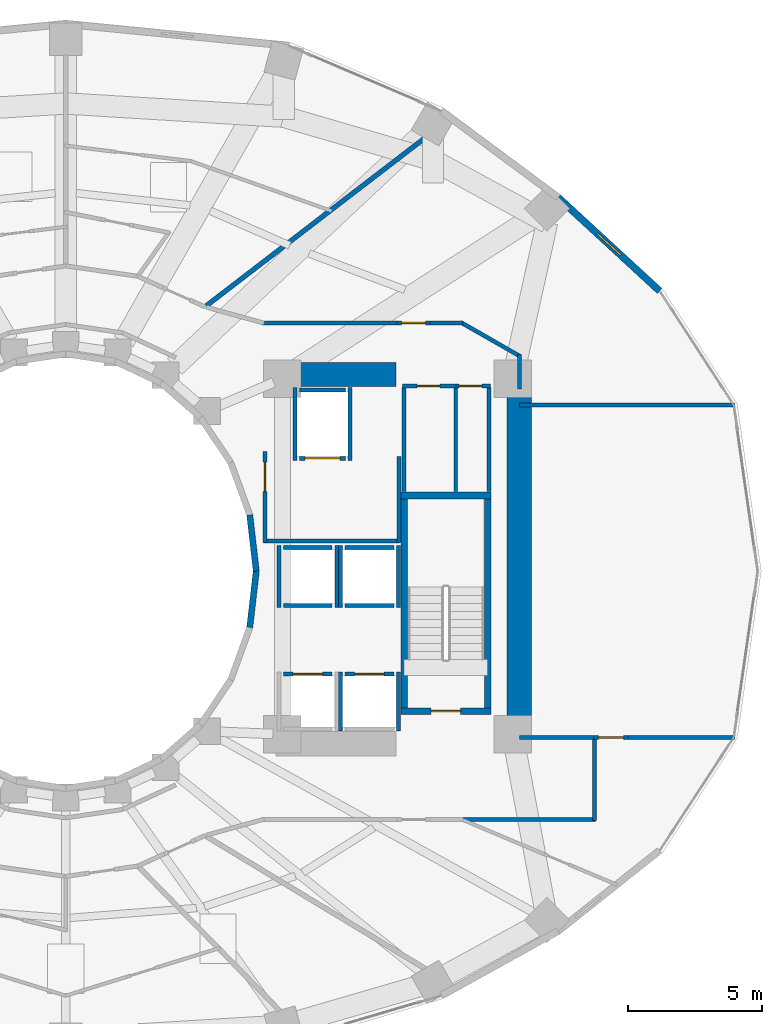
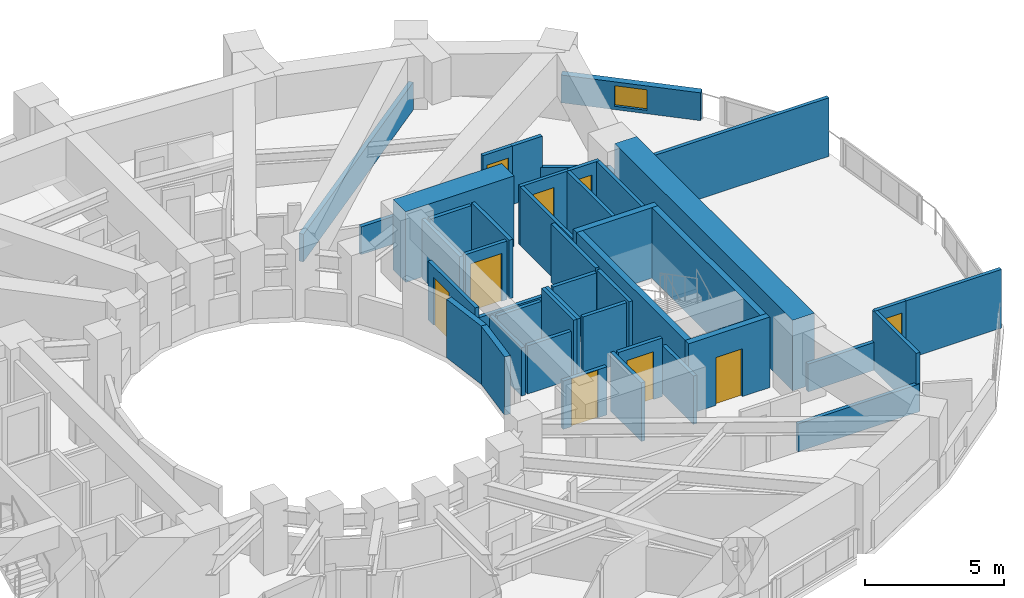
# One storey, part 17 of 22: 45 walls, 9 doors, 1 window, 10 openings.
"""IFC4 building model written with IfcOpenShell, lengths in metres."""

from ifc_helpers import new_model, si_unit, direction, frame, frame_2d, origin, place, context, subcontext, project, spatial, rectangle, extrude, material, layer, layer_set, type_object, element, fill, save


model = new_model("IFC4")

# Units and contexts
model_context = context("Model", 3, precision=1e-05, world=origin(), true_north=direction((0.0, 1.0)))
body_context = subcontext(model_context, "Body", "Model", "MODEL_VIEW")
ifc_project = project(units=[si_unit("LENGTHUNIT", "METRE"), si_unit("AREAUNIT", "SQUARE_METRE"), si_unit("VOLUMEUNIT", "CUBIC_METRE"), si_unit("PLANEANGLEUNIT", "RADIAN"), si_unit("MASSUNIT", "GRAM", prefix="KILO")], contexts=[model_context])

# Site, building, storey
site_placement = place(None, origin())
site = spatial("IfcSite", under=ifc_project, at=site_placement, CompositionType="ELEMENT")
building_placement = place(site_placement, origin())
building = spatial("IfcBuilding", under=site, at=building_placement, Name="Solvane Sanctuary Tower", CompositionType="ELEMENT")
storey_placement = place(building_placement, frame((0.0, 0.0, 43.10009765625)))
storey = spatial("IfcBuildingStorey", under=building, at=storey_placement, Name="L12", CompositionType="ELEMENT", Elevation=43.10009765625)

# Walls
ifc_material_1 = material(Name="Concrete C70/85", Category="concrete")
ifc_layer_1 = layer(ifc_material_1, 0.89990234375, Name="Concrete C70/85")
ifc_layer_set_1 = layer_set([ifc_layer_1], Name="Concrete C70/85")
wall_type_1 = type_object("IfcWallType", Name="Wall W-CORE-900", PredefinedType="SHEAR", material=ifc_layer_set_1)
wall_1_placement = place(storey_placement, frame((48.949951171875, 17.050048828125, 0.0), z_axis=(0.0, 0.0, 1.0), x_axis=(0.0, 1.0, 0.0)))
element("IfcWall", 1, at=wall_1_placement, inside=storey, type_object=wall_type_1, Name="L12 Core Shear Wall EC-E", PredefinedType="SHEAR", context=body_context, shape_type="SweptSolid", body=[
    extrude(rectangle(XDim=12.800048828125, YDim=0.89990234375, at=frame_2d((6.39990234375, 0.0))), origin(), (0.0, 0.0, 1.0), 3.099853515625),
])
wall_2_placement = place(storey_placement, frame((39.85009765625, 30.35009765625, 0.0), z_axis=(0.0, 0.0, 1.0), x_axis=(1.0, 0.0, 0.0)))
element("IfcWall", 2, at=wall_2_placement, inside=storey, type_object=wall_type_1, Name="L12 Core Shear Wall EC-N", PredefinedType="SHEAR", context=body_context, shape_type="SweptSolid", body=[
    extrude(rectangle(XDim=4.5, YDim=0.89990234375, at=frame_2d((2.25, 0.0))), origin(), (0.0, 0.0, 1.0), 3.099853515625),
])
ifc_material_2 = material(Name="Acoustic Gypsum Partition Board")
ifc_layer_2 = layer(ifc_material_2, 0.14990234375, Name="Acoustic Gypsum Partition Board")
ifc_layer_set_2 = layer_set([ifc_layer_2], Name="Acoustic Gypsum Partition Board")
wall_type_2 = type_object("IfcWallType", Name="Wall W-CORR-150", PredefinedType="PARTITIONING", material=ifc_layer_set_2)
wall_3_placement = place(storey_placement, frame((39.39990234375, 24.1201171875, 0.0), z_axis=(0.0, 0.0, 1.0), x_axis=(1.0, 0.0, 0.0)))
element("IfcWall", 3, at=wall_3_placement, inside=storey, type_object=wall_type_2, Name="L12 East Firefighting Lobby South Wall", PredefinedType="PARTITIONING", context=body_context, shape_type="SweptSolid", body=[
    extrude(rectangle(XDim=5.080078125, YDim=0.14990234375, at=frame_2d((2.5400390625, 0.0))), origin(), (0.0, 0.0, 1.0), 2.119873046875),
])
wall_4_placement = place(storey_placement, frame((44.449951171875, 24.080078125, 0.0), z_axis=(0.0, 0.0, 1.0), x_axis=(0.0, 1.0, 0.0)))
element("IfcWall", 4, at=wall_4_placement, inside=storey, type_object=wall_type_2, Name="L12 East Firefighting Lobby East Wall", PredefinedType="PARTITIONING", context=body_context, shape_type="SweptSolid", body=[
    extrude(rectangle(XDim=3.199951171875, YDim=0.14990234375, at=frame_2d((1.60009765625, 0.0))), origin(), (0.0, 0.0, 1.0), 2.574951171875),
])

# Wall, opening, door
wall_5_placement = place(storey_placement, frame((39.449951171875, 24.080078125, 0.0), z_axis=(0.0, 0.0, 1.0), x_axis=(0.0, 1.0, 0.0)))
wall_5 = element("IfcWall", 5, at=wall_5_placement, inside=storey, type_object=wall_type_2, Name="L12 East Firefighting Lobby West Wall", PredefinedType="PARTITIONING", context=body_context, shape_type="SweptSolid", body=[
    extrude(rectangle(XDim=3.39990234375, YDim=0.14990234375, at=frame_2d((1.699951171875, 0.0))), origin(), (0.0, 0.0, 1.0), 2.574951171875),
])
opening_1_placement = place(wall_5_placement, frame((1.893798828125, 0.0, 0.0)))
opening_1 = element("IfcOpeningElement", 6, at=opening_1_placement, cuts=wall_5, Name="Opening D-L12-05", PredefinedType="OPENING", context=body_context, shape_type="SweptSolid", body=[
    extrude(rectangle(XDim=1.10009765625, YDim=2.10009765625, at=frame_2d((0.550048828125, 1.050048828125))), frame((0.0, 0.0849609375, 0.0), z_axis=(0.0, -1.0, 0.0), x_axis=(1.0, 0.0, 0.0)), (0.0, 0.0, 1.0), 0.169921875),
])
ifc_material_3 = material(Name="Architectural Stainless Steel 316", Category="steel")
door_type_1 = type_object("IfcDoorType", Name="Door D-FFL", OperationType="NOTDEFINED", PredefinedType="DOOR", material=ifc_material_3)
door_1_placement = place(opening_1_placement, origin())
door_1 = element("IfcDoor", 7, at=door_1_placement, inside=storey, type_object=door_type_1, Name="L12 East Firefighting Lobby Fire Door", OperationType="SINGLE_SWING_LEFT", OverallHeight=2.10009765625, OverallWidth=1.10009765625, PredefinedType="DOOR", context=body_context, shape_type="SweptSolid", body=[
    extrude(rectangle(XDim=1.10009765625, YDim=2.10009765625, at=frame_2d((0.550048828125, 1.050048828125))), frame((0.0, 0.02490234375, 0.0), z_axis=(0.0, -1.0, 0.0), x_axis=(1.0, 0.0, 0.0)), (0.0, 0.0, 1.0), 0.050048828125),
])
fill(opening_1, door_1)

# Wall
wall_6_placement = place(storey_placement, frame((48.949951171875, 16.788330078125, 0.0), z_axis=(0.0, 0.0, 1.0), x_axis=(1.0, 0.0, 0.0)))
element("IfcWall", 8, at=wall_6_placement, inside=storey, type_object=wall_type_2, Name="L12 East Shoulder South Wall", PredefinedType="PARTITIONING", context=body_context, shape_type="SweptSolid", body=[
    extrude(rectangle(XDim=2.79296875, YDim=0.14990234375, at=frame_2d((1.396484375, 0.0))), origin(), (0.0, 0.0, 1.0), 1.219970703125),
])

# Wall, opening, door
wall_7_placement = place(storey_placement, frame((51.742919921875, 16.788330078125, 0.0), z_axis=(0.0, 0.0, 1.0), x_axis=(1.0, 0.0, 0.0)))
wall_7 = element("IfcWall", 9, at=wall_7_placement, inside=storey, type_object=wall_type_2, Name="L12 East Shoulder South Wall", PredefinedType="PARTITIONING", context=body_context, shape_type="SweptSolid", body=[
    extrude(rectangle(XDim=1.27001953125, YDim=0.14990234375, at=frame_2d((0.635009765625, 0.0))), origin(), (0.0, 0.0, 1.0), 2.574951171875),
])
opening_2_placement = place(wall_7_placement, frame((0.159912109375, 0.0, 0.0)))
opening_2 = element("IfcOpeningElement", 10, at=opening_2_placement, cuts=wall_7, Name="Opening D-L12-10", PredefinedType="OPENING", context=body_context, shape_type="SweptSolid", body=[
    extrude(rectangle(XDim=0.949951171875, YDim=2.10009765625, at=frame_2d((0.47509765625, 1.050048828125))), frame((0.0, 0.0849609375, 0.0), z_axis=(0.0, -1.0, 0.0), x_axis=(1.0, 0.0, 0.0)), (0.0, 0.0, 1.0), 0.169921875),
])
ifc_material_4 = material(Name="Engineered Tropical Hardwood", Category="wood")
door_type_2 = type_object("IfcDoorType", Name="Door D-ROOM-950", OperationType="NOTDEFINED", PredefinedType="DOOR", material=ifc_material_4)
door_2_placement = place(opening_2_placement, origin())
door_2 = element("IfcDoor", 11, at=door_2_placement, inside=storey, type_object=door_type_2, Name="L12 East Shoulder South Door", OperationType="SINGLE_SWING_RIGHT", OverallHeight=2.10009765625, OverallWidth=0.949951171875, PredefinedType="DOOR", context=body_context, shape_type="SweptSolid", body=[
    extrude(rectangle(XDim=0.949951171875, YDim=2.10009765625, at=frame_2d((0.47509765625, 1.050048828125))), frame((0.0, 0.02490234375, 0.0), z_axis=(0.0, -1.0, 0.0), x_axis=(1.0, 0.0, 0.0)), (0.0, 0.0, 1.0), 0.050048828125),
])
fill(opening_2, door_2)

# Walls
wall_8_placement = place(storey_placement, frame((53.012939453125, 16.788330078125, 0.0), z_axis=(0.0, 0.0, 1.0), x_axis=(1.0, 0.0, 0.0)))
element("IfcWall", 12, at=wall_8_placement, inside=storey, type_object=wall_type_2, Name="L12 East Shoulder South Wall", PredefinedType="PARTITIONING", context=body_context, shape_type="SweptSolid", body=[
    extrude(rectangle(XDim=3.973388671875, YDim=0.14990234375, at=frame_2d((1.98681640625, 0.0))), origin(), (0.0, 0.0, 1.0), 2.574951171875),
])
wall_9_placement = place(storey_placement, frame((48.949951171875, 29.211669921875, 0.0), z_axis=(0.0, 0.0, 1.0), x_axis=(1.0, 0.0, 0.0)))
element("IfcWall", 13, at=wall_9_placement, inside=storey, type_object=wall_type_2, Name="L12 East Shoulder North Wall", PredefinedType="PARTITIONING", context=body_context, shape_type="SweptSolid", body=[
    extrude(rectangle(XDim=8.036376953125, YDim=0.14990234375, at=frame_2d((4.01806640625, 0.0))), origin(), (0.0, 0.0, 1.0), 2.574951171875),
])
wall_10_placement = place(storey_placement, frame((48.949951171875, 29.800048828125, 0.0), z_axis=(0.0, 0.0, 1.0), x_axis=(0.0, 1.0, 0.0)))
element("IfcWall", 14, at=wall_10_placement, inside=storey, type_object=wall_type_2, Name="L12 NE Corner Closer 1", PredefinedType="PARTITIONING", context=body_context, shape_type="SweptSolid", body=[
    extrude(rectangle(XDim=1.2900390625, YDim=0.14990234375, at=frame_2d((0.64501953125, 0.0))), origin(), (0.0, 0.0, 1.0), 1.219970703125),
])
wall_11_placement = place(storey_placement, frame((39.330078125, 32.280029296875, 0.0), z_axis=(0.0, 0.0, 1.0), x_axis=(1.0, 0.0, 0.0)))
element("IfcWall", 15, at=wall_11_placement, inside=storey, type_object=wall_type_2, Name="L12 NE Corner Corridor Wall", PredefinedType="PARTITIONING", context=body_context, shape_type="SweptSolid", body=[
    extrude(rectangle(XDim=5.059814453125, YDim=0.14990234375, at=frame_2d((2.52978515625, 0.0))), origin(), (0.0, 0.0, 1.0), 1.219970703125),
])

# Wall, opening, door
wall_12_placement = place(storey_placement, frame((44.389892578125, 32.280029296875, 0.0), z_axis=(0.0, 0.0, 1.0), x_axis=(1.0, 0.0, 0.0)))
wall_12 = element("IfcWall", 16, at=wall_12_placement, inside=storey, type_object=wall_type_2, Name="L12 NE Corner Corridor Wall", PredefinedType="PARTITIONING", context=body_context, shape_type="SweptSolid", body=[
    extrude(rectangle(XDim=1.22021484375, YDim=0.14990234375, at=frame_2d((0.610107421875, 0.0))), origin(), (0.0, 0.0, 1.0), 2.574951171875),
])
opening_3_placement = place(wall_12_placement, frame((0.159912109375, 0.0, 0.0)))
opening_3 = element("IfcOpeningElement", 17, at=opening_3_placement, cuts=wall_12, Name="Opening D-L12-12", PredefinedType="OPENING", context=body_context, shape_type="SweptSolid", body=[
    extrude(rectangle(XDim=0.89990234375, YDim=2.10009765625, at=frame_2d((0.449951171875, 1.050048828125))), frame((0.0, 0.0849609375, 0.0), z_axis=(0.0, -1.0, 0.0), x_axis=(1.0, 0.0, 0.0)), (0.0, 0.0, 1.0), 0.169921875),
])
door_type_3 = type_object("IfcDoorType", Name="Door D-WET-900", OperationType="NOTDEFINED", PredefinedType="DOOR", material=ifc_material_4)
door_3_placement = place(opening_3_placement, origin())
door_3 = element("IfcDoor", 18, at=door_3_placement, inside=storey, type_object=door_type_3, Name="L12 NE Corner Salon Door", OperationType="SINGLE_SWING_RIGHT", OverallHeight=2.10009765625, OverallWidth=0.89990234375, PredefinedType="DOOR", context=body_context, shape_type="SweptSolid", body=[
    extrude(rectangle(XDim=0.89990234375, YDim=2.10009765625, at=frame_2d((0.449951171875, 1.050048828125))), frame((0.0, 0.02490234375, 0.0), z_axis=(0.0, -1.0, 0.0), x_axis=(1.0, 0.0, 0.0)), (0.0, 0.0, 1.0), 0.050048828125),
])
fill(opening_3, door_3)

# Walls
wall_13_placement = place(storey_placement, frame((45.610107421875, 32.280029296875, 0.0), z_axis=(0.0, 0.0, 1.0), x_axis=(1.0, 0.0, 0.0)))
element("IfcWall", 19, at=wall_13_placement, inside=storey, type_object=wall_type_2, Name="L12 NE Corner Corridor Wall", PredefinedType="PARTITIONING", context=body_context, shape_type="SweptSolid", body=[
    extrude(rectangle(XDim=1.239990234375, YDim=0.14990234375, at=frame_2d((0.6201171875, 0.0))), origin(), (0.0, 0.0, 1.0), 2.574951171875),
])
wall_14_placement = place(storey_placement, frame((46.756591796875, 32.3046875, 0.0), z_axis=(0.0, 0.0, 1.0), x_axis=(0.867991349648, -0.496579315857, 0.0)))
element("IfcWall", 20, at=wall_14_placement, inside=storey, type_object=wall_type_2, Name="L12 NE Corner Wing Wall", PredefinedType="PARTITIONING", context=body_context, shape_type="SweptSolid", body=[
    extrude(rectangle(XDim=2.56689453125, YDim=0.14990234375, at=frame_2d((1.283447265625, 0.0))), origin(), (0.0, 0.0, 1.0), 1.219970703125),
])
wall_15_placement = place(storey_placement, frame((51.760009765625, 13.679931640625, 0.0), z_axis=(0.0, 0.0, 1.0), x_axis=(0.0, 1.0, 0.0)))
element("IfcWall", 21, at=wall_15_placement, inside=storey, type_object=wall_type_2, Name="L12 SE Corner Closer 1", PredefinedType="PARTITIONING", context=body_context, shape_type="SweptSolid", body=[
    extrude(rectangle(XDim=3.1484375, YDim=0.14990234375, at=frame_2d((1.57421875, 0.0))), origin(), (0.0, 0.0, 1.0), 2.574951171875),
])
wall_16_placement = place(storey_placement, frame((46.75, 13.719970703125, 0.0), z_axis=(0.0, 0.0, 1.0), x_axis=(1.0, 0.0, 0.0)))
element("IfcWall", 22, at=wall_16_placement, inside=storey, type_object=wall_type_2, Name="L12 SE Corner Wing Wall", PredefinedType="PARTITIONING", context=body_context, shape_type="SweptSolid", body=[
    extrude(rectangle(XDim=5.050048828125, YDim=0.14990234375, at=frame_2d((2.52490234375, 0.0))), origin(), (0.0, 0.0, 1.0), 1.219970703125),
])

# Wall, opening, window
ifc_material_5 = material(Name="Precast concrete C40/50", Category="concrete")
ifc_layer_3 = layer(ifc_material_5, 0.260009765625, Name="Precast concrete C40/50")
ifc_layer_set_3 = layer_set([ifc_layer_3], Name="Precast concrete C40/50")
wall_type_3 = type_object("IfcWallType", Name="Wall W-EXT-250", PredefinedType="STANDARD", material=ifc_layer_set_3)
wall_17_placement = place(storey_placement, frame((54.19384765625, 33.4755859375, 0.0), z_axis=(0.0, 0.0, 1.0), x_axis=(-0.735655109293, 0.67735630223, 0.0)))
wall_17 = element("IfcWall", 23, at=wall_17_placement, inside=storey, type_object=wall_type_3, Name="L12 Ceramic-Printed Facade Wall 02", PredefinedType="STANDARD", context=body_context, shape_type="SweptSolid", body=[
    extrude(rectangle(XDim=5.15087890625, YDim=0.260009765625, at=frame_2d((2.575439453125, 0.0))), origin(), (0.0, 0.0, 1.0), 1.219970703125),
])
opening_4_placement = place(wall_17_placement, frame((1.9755859375, 0.0, 0.14990234375)))
opening_4 = element("IfcOpeningElement", 24, at=opening_4_placement, cuts=wall_17, Name="Opening WN-OPER-1200", PredefinedType="OPENING", context=body_context, shape_type="SweptSolid", body=[
    extrude(rectangle(XDim=1.199951171875, YDim=0.89990234375, at=frame_2d((0.60009765625, 0.449951171875))), frame((0.0, 0.139892578125, 0.0), z_axis=(0.0, -1.0, 0.0), x_axis=(1.0, 0.0, 0.0)), (0.0, 0.0, 1.0), 0.280029296875),
])
ifc_material_6 = material(Name="Dark Ceramic-Fritted Low-E Glass", Category="glass")
window_type = type_object("IfcWindowType", Name="Window WN-OPER-1200", PartitioningType="SINGLE_PANEL", PredefinedType="WINDOW", material=ifc_material_6)
window_placement = place(opening_4_placement, origin())
window = element("IfcWindow", 25, at=window_placement, inside=storey, type_object=window_type, Name="L12 Operable Facade Window 02", OverallHeight=0.89990234375, OverallWidth=1.199951171875, PartitioningType="SINGLE_PANEL", PredefinedType="WINDOW", context=body_context, shape_type="SweptSolid", body=[
    extrude(rectangle(XDim=1.199951171875, YDim=0.89990234375, at=frame_2d((0.60009765625, 0.449951171875))), frame((0.0, 0.030029296875, 0.0), z_axis=(0.0, -1.0, 0.0), x_axis=(1.0, 0.0, 0.0)), (0.0, 0.0, 1.0), 0.06005859375),
])
fill(opening_4, window)

# Walls
ifc_layer_4 = layer(ifc_material_5, 0.22998046875, Name="Precast concrete C40/50")
ifc_layer_set_4 = layer_set([ifc_layer_4], Name="Precast concrete C40/50")
wall_type_4 = type_object("IfcWallType", Name="Wall W-EXT-SP220", PredefinedType="STANDARD", material=ifc_layer_set_4)
for number, where, z_axis, x_axis, name in (
    (26, (39.1201171875, 23.0, 0.0), (0.0, 0.0, 1.0), (-0.114711713601, 0.993398823617, 0.0), "L12 Central Light-Well Wall 00"),
    (27, (38.87744140625, 20.8984375, 0.0), (0.0, 0.0, 1.0), (0.114711713601, 0.993398823617, 0.0), "L12 Central Light-Well Wall 23"),
):
    element("IfcWall", number, at=place(storey_placement, frame(where, z_axis=z_axis, x_axis=x_axis)), inside=storey, type_object=wall_type_4, Name=name, PredefinedType="STANDARD", context=body_context, shape_type="SweptSolid", body=[
        extrude(rectangle(XDim=2.115478515625, YDim=0.22998046875, at=frame_2d((1.0576171875, 0.0))), origin(), (0.0, 0.0, 1.0), 2.559814453125),
    ])

# Wall, opening, door
ifc_material_7 = material(Name="Concrete C50/60", Category="concrete")
ifc_layer_5 = layer(ifc_material_7, 0.14990234375, Name="Concrete C50/60")
ifc_layer_set_5 = layer_set([ifc_layer_5], Name="Concrete C50/60")
wall_type_5 = type_object("IfcWallType", Name="Wall W-SHAFT-150", PredefinedType="SOLIDWALL", material=ifc_layer_set_5)
wall_18_placement = place(storey_placement, frame((40.139892578125, 19.159912109375, 0.0), z_axis=(0.0, 0.0, 1.0), x_axis=(1.0, 0.0, 0.0)))
wall_18 = element("IfcWall", 28, at=wall_18_placement, inside=storey, type_object=wall_type_5, Name="L12 PL-3 Lift Shaft Wall F", PredefinedType="SOLIDWALL", context=body_context, shape_type="SweptSolid", body=[
    extrude(rectangle(XDim=1.820068359375, YDim=0.14990234375, at=frame_2d((0.91015625, 0.0))), origin(), (0.0, 0.0, 1.0), 2.119873046875),
])
opening_5_placement = place(wall_18_placement, frame((0.360107421875, 0.0, 0.0)))
opening_5 = element("IfcOpeningElement", 29, at=opening_5_placement, cuts=wall_18, Name="Opening LD-L12-03", PredefinedType="OPENING", context=body_context, shape_type="SweptSolid", body=[
    extrude(rectangle(XDim=1.10009765625, YDim=2.10009765625, at=frame_2d((0.550048828125, 1.050048828125))), frame((0.0, 0.0849609375, 0.0), z_axis=(0.0, -1.0, 0.0), x_axis=(1.0, 0.0, 0.0)), (0.0, 0.0, 1.0), 0.169921875),
])
door_type_4 = type_object("IfcDoorType", Name="Door LD-PASS-1100", OperationType="NOTDEFINED", PredefinedType="DOOR", material=ifc_material_3)
door_4_placement = place(opening_5_placement, origin())
door_4 = element("IfcDoor", 30, at=door_4_placement, inside=storey, type_object=door_type_4, Name="L12 PL-3 Lift Landing Door", OperationType="DOUBLE_DOOR_SLIDING", OverallHeight=2.10009765625, OverallWidth=1.10009765625, PredefinedType="DOOR", context=body_context, shape_type="SweptSolid", body=[
    extrude(rectangle(XDim=1.10009765625, YDim=2.10009765625, at=frame_2d((0.550048828125, 1.050048828125))), frame((0.0, 0.02490234375, 0.0), z_axis=(0.0, -1.0, 0.0), x_axis=(1.0, 0.0, 0.0)), (0.0, 0.0, 1.0), 0.050048828125),
])
fill(opening_5, door_4)

wall_19_placement = place(storey_placement, frame((42.43994140625, 19.159912109375, 0.0), z_axis=(0.0, 0.0, 1.0), x_axis=(1.0, 0.0, 0.0)))
wall_19 = element("IfcWall", 31, at=wall_19_placement, inside=storey, type_object=wall_type_5, Name="L12 PL-4 Lift Shaft Wall F", PredefinedType="SOLIDWALL", context=body_context, shape_type="SweptSolid", body=[
    extrude(rectangle(XDim=1.820068359375, YDim=0.14990234375, at=frame_2d((0.91015625, 0.0))), origin(), (0.0, 0.0, 1.0), 2.574951171875),
])
opening_6_placement = place(wall_19_placement, frame((0.360107421875, 0.0, 0.0)))
opening_6 = element("IfcOpeningElement", 32, at=opening_6_placement, cuts=wall_19, Name="Opening LD-L12-04", PredefinedType="OPENING", context=body_context, shape_type="SweptSolid", body=[
    extrude(rectangle(XDim=1.10009765625, YDim=2.10009765625, at=frame_2d((0.550048828125, 1.050048828125))), frame((0.0, 0.0849609375, 0.0), z_axis=(0.0, -1.0, 0.0), x_axis=(1.0, 0.0, 0.0)), (0.0, 0.0, 1.0), 0.169921875),
])
door_5_placement = place(opening_6_placement, origin())
door_5 = element("IfcDoor", 33, at=door_5_placement, inside=storey, type_object=door_type_4, Name="L12 PL-4 Lift Landing Door", OperationType="DOUBLE_DOOR_SLIDING", OverallHeight=2.10009765625, OverallWidth=1.10009765625, PredefinedType="DOOR", context=body_context, shape_type="SweptSolid", body=[
    extrude(rectangle(XDim=1.10009765625, YDim=2.10009765625, at=frame_2d((0.550048828125, 1.050048828125))), frame((0.0, 0.02490234375, 0.0), z_axis=(0.0, -1.0, 0.0), x_axis=(1.0, 0.0, 0.0)), (0.0, 0.0, 1.0), 0.050048828125),
])
fill(opening_6, door_5)

# Walls
wall_20_placement = place(storey_placement, frame((42.27001953125, 17.02001953125, 0.0), z_axis=(0.0, 0.0, 1.0), x_axis=(0.0, 1.0, 0.0)))
element("IfcWall", 34, at=wall_20_placement, inside=storey, type_object=wall_type_5, Name="L12 PL-4 Lift Shaft Wall S1", PredefinedType="SOLIDWALL", context=body_context, shape_type="SweptSolid", body=[
    extrude(rectangle(XDim=2.219970703125, YDim=0.14990234375, at=frame_2d((1.10986328125, 0.0))), origin(), (0.0, 0.0, 1.0), 2.574951171875),
])
wall_21_placement = place(storey_placement, frame((44.429931640625, 17.02001953125, 0.0), z_axis=(0.0, 0.0, 1.0), x_axis=(0.0, 1.0, 0.0)))
element("IfcWall", 35, at=wall_21_placement, inside=storey, type_object=wall_type_5, Name="L12 PL-4 Lift Shaft Wall S2", PredefinedType="SOLIDWALL", context=body_context, shape_type="SweptSolid", body=[
    extrude(rectangle(XDim=2.219970703125, YDim=0.14990234375, at=frame_2d((1.10986328125, 0.0))), origin(), (0.0, 0.0, 1.0), 2.119873046875),
])
for number, where, z_axis, x_axis, name in (
    (36, (42.43994140625, 21.719970703125, 0.0), (0.0, 0.0, 1.0), (1.0, 0.0, 0.0), "L12 PM-2 Lift Shaft Wall F"),
    (37, (42.43994140625, 23.8798828125, 0.0), (0.0, 0.0, 1.0), (1.0, 0.0, 0.0), "L12 PM-2 Lift Shaft Wall B"),
):
    element("IfcWall", number, at=place(storey_placement, frame(where, z_axis=z_axis, x_axis=x_axis)), inside=storey, type_object=wall_type_5, Name=name, PredefinedType="SOLIDWALL", context=body_context, shape_type="SweptSolid", body=[
        extrude(rectangle(XDim=1.820068359375, YDim=0.14990234375, at=frame_2d((0.91015625, 0.0))), origin(), (0.0, 0.0, 1.0), 2.574951171875),
    ])
for number, where, z_axis, x_axis, name in (
    (38, (42.27001953125, 21.639892578125, 0.0), (0.0, 0.0, 1.0), (0.0, 1.0, 0.0), "L12 PM-2 Lift Shaft Wall S1"),
    (39, (44.429931640625, 21.639892578125, 0.0), (0.0, 0.0, 1.0), (0.0, 1.0, 0.0), "L12 PM-2 Lift Shaft Wall S2"),
):
    element("IfcWall", number, at=place(storey_placement, frame(where, z_axis=z_axis, x_axis=x_axis)), inside=storey, type_object=wall_type_5, Name=name, PredefinedType="SOLIDWALL", context=body_context, shape_type="SweptSolid", body=[
        extrude(rectangle(XDim=2.320068359375, YDim=0.14990234375, at=frame_2d((1.16015625, 0.0))), origin(), (0.0, 0.0, 1.0), 2.574951171875),
    ])
for number, where, z_axis, x_axis, name in (
    (40, (40.139892578125, 21.719970703125, 0.0), (0.0, 0.0, 1.0), (1.0, 0.0, 0.0), "L12 PH-2 Lift Shaft Wall F"),
    (41, (40.139892578125, 23.8798828125, 0.0), (0.0, 0.0, 1.0), (1.0, 0.0, 0.0), "L12 PH-2 Lift Shaft Wall B"),
):
    element("IfcWall", number, at=place(storey_placement, frame(where, z_axis=z_axis, x_axis=x_axis)), inside=storey, type_object=wall_type_5, Name=name, PredefinedType="SOLIDWALL", context=body_context, shape_type="SweptSolid", body=[
        extrude(rectangle(XDim=1.820068359375, YDim=0.14990234375, at=frame_2d((0.91015625, 0.0))), origin(), (0.0, 0.0, 1.0), 2.119873046875),
    ])
wall_22_placement = place(storey_placement, frame((39.969970703125, 21.639892578125, 0.0), z_axis=(0.0, 0.0, 1.0), x_axis=(0.0, 1.0, 0.0)))
element("IfcWall", 42, at=wall_22_placement, inside=storey, type_object=wall_type_5, Name="L12 PH-2 Lift Shaft Wall S1", PredefinedType="SOLIDWALL", context=body_context, shape_type="SweptSolid", body=[
    extrude(rectangle(XDim=2.320068359375, YDim=0.14990234375, at=frame_2d((1.16015625, 0.0))), origin(), (0.0, 0.0, 1.0), 2.119873046875),
])
wall_23_placement = place(storey_placement, frame((42.1298828125, 21.639892578125, 0.0), z_axis=(0.0, 0.0, 1.0), x_axis=(0.0, 1.0, 0.0)))
element("IfcWall", 43, at=wall_23_placement, inside=storey, type_object=wall_type_5, Name="L12 PH-2 Lift Shaft Wall S2", PredefinedType="SOLIDWALL", context=body_context, shape_type="SweptSolid", body=[
    extrude(rectangle(XDim=2.320068359375, YDim=0.14990234375, at=frame_2d((1.16015625, 0.0))), origin(), (0.0, 0.0, 1.0), 2.574951171875),
])

# Wall, opening, door
wall_24_placement = place(storey_placement, frame((40.739990234375, 27.219970703125, 0.0), z_axis=(0.0, 0.0, 1.0), x_axis=(1.0, 0.0, 0.0)))
wall_24 = element("IfcWall", 44, at=wall_24_placement, inside=storey, type_object=wall_type_5, Name="L12 FFL-2 Lift Shaft Wall F", PredefinedType="SOLIDWALL", context=body_context, shape_type="SweptSolid", body=[
    extrude(rectangle(XDim=1.719970703125, YDim=0.14990234375, at=frame_2d((0.85986328125, 0.0))), origin(), (0.0, 0.0, 1.0), 2.574951171875),
])
opening_7_placement = place(wall_24_placement, frame((0.2099609375, 0.0, 0.0)))
opening_7 = element("IfcOpeningElement", 45, at=opening_7_placement, cuts=wall_24, Name="Opening LD-L12-07", PredefinedType="OPENING", context=body_context, shape_type="SweptSolid", body=[
    extrude(rectangle(XDim=1.300048828125, YDim=2.10009765625, at=frame_2d((0.64990234375, 1.050048828125))), frame((0.0, 0.0849609375, 0.0), z_axis=(0.0, -1.0, 0.0), x_axis=(1.0, 0.0, 0.0)), (0.0, 0.0, 1.0), 0.169921875),
])
door_type_5 = type_object("IfcDoorType", Name="Door LD-FFL-1300", OperationType="NOTDEFINED", PredefinedType="DOOR", material=ifc_material_3)
door_6_placement = place(opening_7_placement, origin())
door_6 = element("IfcDoor", 46, at=door_6_placement, inside=storey, type_object=door_type_5, Name="L12 FFL-2 Lift Landing Door", OperationType="DOUBLE_DOOR_SLIDING", OverallHeight=2.10009765625, OverallWidth=1.300048828125, PredefinedType="DOOR", context=body_context, shape_type="SweptSolid", body=[
    extrude(rectangle(XDim=1.300048828125, YDim=2.10009765625, at=frame_2d((0.64990234375, 1.050048828125))), frame((0.0, 0.02490234375, 0.0), z_axis=(0.0, -1.0, 0.0), x_axis=(1.0, 0.0, 0.0)), (0.0, 0.0, 1.0), 0.050048828125),
])
fill(opening_7, door_6)

# Walls
wall_25_placement = place(storey_placement, frame((40.739990234375, 29.780029296875, 0.0), z_axis=(0.0, 0.0, 1.0), x_axis=(1.0, 0.0, 0.0)))
element("IfcWall", 47, at=wall_25_placement, inside=storey, type_object=wall_type_5, Name="L12 FFL-2 Lift Shaft Wall B", PredefinedType="SOLIDWALL", context=body_context, shape_type="SweptSolid", body=[
    extrude(rectangle(XDim=1.719970703125, YDim=0.14990234375, at=frame_2d((0.85986328125, 0.0))), origin(), (0.0, 0.0, 1.0), 2.574951171875),
])
for number, where, z_axis, x_axis, name in (
    (48, (40.570068359375, 27.139892578125, 0.0), (0.0, 0.0, 1.0), (0.0, 1.0, 0.0), "L12 FFL-2 Lift Shaft Wall S1"),
    (49, (42.6298828125, 27.139892578125, 0.0), (0.0, 0.0, 1.0), (0.0, 1.0, 0.0), "L12 FFL-2 Lift Shaft Wall S2"),
):
    element("IfcWall", number, at=place(storey_placement, frame(where, z_axis=z_axis, x_axis=x_axis)), inside=storey, type_object=wall_type_5, Name=name, PredefinedType="SOLIDWALL", context=body_context, shape_type="SweptSolid", body=[
        extrude(rectangle(XDim=2.72021484375, YDim=0.14990234375, at=frame_2d((1.360107421875, 0.0))), origin(), (0.0, 0.0, 1.0), 2.574951171875),
    ])

# Wall, opening, door
ifc_layer_6 = layer(ifc_material_7, 0.25, Name="Concrete C50/60")
ifc_layer_set_6 = layer_set([ifc_layer_6], Name="Concrete C50/60")
wall_type_6 = type_object("IfcWallType", Name="Wall W-SHAFT-250", PredefinedType="SOLIDWALL", material=ifc_layer_set_6)
wall_26_placement = place(storey_placement, frame((44.52490234375, 17.77001953125, 0.0), z_axis=(0.0, 0.0, 1.0), x_axis=(1.0, 0.0, 0.0)))
wall_26 = element("IfcWall", 50, at=wall_26_placement, inside=storey, type_object=wall_type_6, Name="L12 ST-2 Load-Bearing Shaft Wall S", PredefinedType="SOLIDWALL", context=body_context, shape_type="SweptSolid", body=[
    extrude(rectangle(XDim=3.3701171875, YDim=0.25, at=frame_2d((1.68505859375, 0.0))), origin(), (0.0, 0.0, 1.0), 3.099853515625),
])
opening_8_placement = place(wall_26_placement, frame((1.135009765625, 0.0, 0.0)))
opening_8 = element("IfcOpeningElement", 51, at=opening_8_placement, cuts=wall_26, Name="Opening D-L12-02", PredefinedType="OPENING", context=body_context, shape_type="SweptSolid", body=[
    extrude(rectangle(XDim=1.10009765625, YDim=2.10009765625, at=frame_2d((0.550048828125, 1.050048828125))), frame((0.0, 0.135009765625, 0.0), z_axis=(0.0, -1.0, 0.0), x_axis=(1.0, 0.0, 0.0)), (0.0, 0.0, 1.0), 0.27001953125),
])
door_type_6 = type_object("IfcDoorType", Name="Door D-STAIR", OperationType="NOTDEFINED", PredefinedType="DOOR", material=ifc_material_3)
door_7_placement = place(opening_8_placement, origin())
door_7 = element("IfcDoor", 52, at=door_7_placement, inside=storey, type_object=door_type_6, Name="L12 ST-2 Exit Stair Fire Door", OperationType="SINGLE_SWING_LEFT", OverallHeight=2.10009765625, OverallWidth=1.10009765625, PredefinedType="DOOR", context=body_context, shape_type="SweptSolid", body=[
    extrude(rectangle(XDim=1.10009765625, YDim=2.10009765625, at=frame_2d((0.550048828125, 1.050048828125))), frame((0.0, 0.02490234375, 0.0), z_axis=(0.0, -1.0, 0.0), x_axis=(1.0, 0.0, 0.0)), (0.0, 0.0, 1.0), 0.050048828125),
])
fill(opening_8, door_7)

# Walls
wall_27_placement = place(storey_placement, frame((44.52490234375, 25.830078125, 0.0), z_axis=(0.0, 0.0, 1.0), x_axis=(1.0, 0.0, 0.0)))
element("IfcWall", 53, at=wall_27_placement, inside=storey, type_object=wall_type_6, Name="L12 ST-2 Load-Bearing Shaft Wall N", PredefinedType="SOLIDWALL", context=body_context, shape_type="SweptSolid", body=[
    extrude(rectangle(XDim=3.3701171875, YDim=0.25, at=frame_2d((1.68505859375, 0.0))), origin(), (0.0, 0.0, 1.0), 3.099853515625),
])
for number, where, z_axis, x_axis, name in (
    (54, (44.64990234375, 17.89501953125, 0.0), (0.0, 0.0, 1.0), (0.0, 1.0, 0.0), "L12 ST-2 Load-Bearing Shaft Wall W"),
    (55, (47.77001953125, 17.89501953125, 0.0), (0.0, 0.0, 1.0), (0.0, 1.0, 0.0), "L12 ST-2 Load-Bearing Shaft Wall E"),
):
    element("IfcWall", number, at=place(storey_placement, frame(where, z_axis=z_axis, x_axis=x_axis)), inside=storey, type_object=wall_type_6, Name=name, PredefinedType="SOLIDWALL", context=body_context, shape_type="SweptSolid", body=[
        extrude(rectangle(XDim=7.81005859375, YDim=0.25, at=frame_2d((3.905029296875, 0.0))), origin(), (0.0, 0.0, 1.0), 3.099853515625),
    ])
ifc_layer_7 = layer(ifc_material_2, 0.179931640625, Name="Acoustic Gypsum Partition Board")
ifc_layer_set_7 = layer_set([ifc_layer_7], Name="Acoustic Gypsum Partition Board")
wall_type_7 = type_object("IfcWallType", Name="Wall W-UNIT-180", PredefinedType="PARTITIONING", material=ifc_layer_set_7)
wall_28_placement = place(storey_placement, frame((37.24853515625, 32.914794921875, 0.0), z_axis=(0.0, 0.0, 1.0), x_axis=(0.793181014702, 0.608985942298, 0.0)))
element("IfcWall", 56, at=wall_28_placement, inside=storey, type_object=wall_type_7, Name="L12 Radial Compartment Wall 060", PredefinedType="PARTITIONING", context=body_context, shape_type="SweptSolid", body=[
    extrude(rectangle(XDim=10.323974609375, YDim=0.179931640625, at=frame_2d((5.162109375, 0.0))), origin(), (0.0, 0.0, 1.0), 1.219970703125),
])

# Wall, opening, door
ifc_layer_8 = layer(ifc_material_2, 0.139892578125, Name="Acoustic Gypsum Partition Board")
ifc_layer_set_8 = layer_set([ifc_layer_8], Name="Acoustic Gypsum Partition Board")
wall_type_8 = type_object("IfcWallType", Name="Wall W-WET-140", PredefinedType="PLUMBINGWALL", material=ifc_layer_set_8)
wall_29_placement = place(storey_placement, frame((44.580078125, 29.919921875, 0.0), z_axis=(0.0, 0.0, 1.0), x_axis=(1.0, 0.0, 0.0)))
wall_29 = element("IfcWall", 57, at=wall_29_placement, inside=storey, type_object=wall_type_8, Name="L12 Core Service Front Wall KE1", PredefinedType="PLUMBINGWALL", context=body_context, shape_type="SweptSolid", body=[
    extrude(rectangle(XDim=2.0, YDim=0.139892578125, at=frame_2d((1.0, 0.0))), origin(), (0.0, 0.0, 1.0), 2.574951171875),
])
opening_9_placement = place(wall_29_placement, frame((0.550048828125, 0.0, 0.0)))
opening_9 = element("IfcOpeningElement", 58, at=opening_9_placement, cuts=wall_29, Name="Opening D-L12-08", PredefinedType="OPENING", context=body_context, shape_type="SweptSolid", body=[
    extrude(rectangle(XDim=0.85009765625, YDim=2.050048828125, at=frame_2d((0.425048828125, 1.02490234375))), frame((0.0, 0.079833984375, 0.0), z_axis=(0.0, -1.0, 0.0), x_axis=(1.0, 0.0, 0.0)), (0.0, 0.0, 1.0), 0.159912109375),
])
door_type_7 = type_object("IfcDoorType", Name="Door D-RISER", OperationType="NOTDEFINED", PredefinedType="DOOR", material=ifc_material_3)
door_8_placement = place(opening_9_placement, origin())
door_8 = element("IfcDoor", 59, at=door_8_placement, inside=storey, type_object=door_type_7, Name="L12 Core Service Room Door KE1-1", OperationType="SINGLE_SWING_RIGHT", OverallHeight=2.050048828125, OverallWidth=0.85009765625, PredefinedType="DOOR", context=body_context, shape_type="SweptSolid", body=[
    extrude(rectangle(XDim=0.85009765625, YDim=2.050048828125, at=frame_2d((0.425048828125, 1.02490234375))), frame((0.0, 0.02490234375, 0.0), z_axis=(0.0, -1.0, 0.0), x_axis=(1.0, 0.0, 0.0)), (0.0, 0.0, 1.0), 0.050048828125),
])
fill(opening_9, door_8)

# Walls
for number, where, z_axis, x_axis, name in (
    (60, (44.639892578125, 25.97998046875, 0.0), (0.0, 0.0, 1.0), (0.0, 1.0, 0.0), "L12 Core Service Side Wall KE1-1"),
    (61, (46.580078125, 25.97998046875, 0.0), (0.0, 0.0, 1.0), (0.0, 1.0, 0.0), "L12 Core Service Side Wall KE1-2"),
):
    element("IfcWall", number, at=place(storey_placement, frame(where, z_axis=z_axis, x_axis=x_axis)), inside=storey, type_object=wall_type_8, Name=name, PredefinedType="PLUMBINGWALL", context=body_context, shape_type="SweptSolid", body=[
        extrude(rectangle(XDim=3.880126953125, YDim=0.139892578125, at=frame_2d((1.93994140625, 0.0))), origin(), (0.0, 0.0, 1.0), 2.574951171875),
    ])

# Wall, opening, door
wall_30_placement = place(storey_placement, frame((46.580078125, 29.919921875, 0.0), z_axis=(0.0, 0.0, 1.0), x_axis=(1.0, 0.0, 0.0)))
wall_30 = element("IfcWall", 62, at=wall_30_placement, inside=storey, type_object=wall_type_8, Name="L12 Core Service Front Wall KE2", PredefinedType="PLUMBINGWALL", context=body_context, shape_type="SweptSolid", body=[
    extrude(rectangle(XDim=1.2998046875, YDim=0.139892578125, at=frame_2d((0.64990234375, 0.0))), origin(), (0.0, 0.0, 1.0), 2.574951171875),
])
opening_10_placement = place(wall_30_placement, frame((0.1201171875, 0.0, 0.0)))
opening_10 = element("IfcOpeningElement", 63, at=opening_10_placement, cuts=wall_30, Name="Opening D-L12-09", PredefinedType="OPENING", context=body_context, shape_type="SweptSolid", body=[
    extrude(rectangle(XDim=0.85009765625, YDim=2.050048828125, at=frame_2d((0.425048828125, 1.02490234375))), frame((0.0, 0.079833984375, 0.0), z_axis=(0.0, -1.0, 0.0), x_axis=(1.0, 0.0, 0.0)), (0.0, 0.0, 1.0), 0.159912109375),
])
door_9_placement = place(opening_10_placement, origin())
door_9 = element("IfcDoor", 64, at=door_9_placement, inside=storey, type_object=door_type_7, Name="L12 Core Service Room Door KE2-1", OperationType="SINGLE_SWING_LEFT", OverallHeight=2.050048828125, OverallWidth=0.85009765625, PredefinedType="DOOR", context=body_context, shape_type="SweptSolid", body=[
    extrude(rectangle(XDim=0.85009765625, YDim=2.050048828125, at=frame_2d((0.425048828125, 1.02490234375))), frame((0.0, 0.02490234375, 0.0), z_axis=(0.0, -1.0, 0.0), x_axis=(1.0, 0.0, 0.0)), (0.0, 0.0, 1.0), 0.050048828125),
])
fill(opening_10, door_9)

# Wall
wall_31_placement = place(storey_placement, frame((47.820068359375, 25.97998046875, 0.0), z_axis=(0.0, 0.0, 1.0), x_axis=(0.0, 1.0, 0.0)))
element("IfcWall", 65, at=wall_31_placement, inside=storey, type_object=wall_type_8, Name="L12 Core Service Side Wall KE2-1", PredefinedType="PLUMBINGWALL", context=body_context, shape_type="SweptSolid", body=[
    extrude(rectangle(XDim=3.880126953125, YDim=0.139892578125, at=frame_2d((1.93994140625, 0.0))), origin(), (0.0, 0.0, 1.0), 2.574951171875),
])

save(model, "model.ifc")
